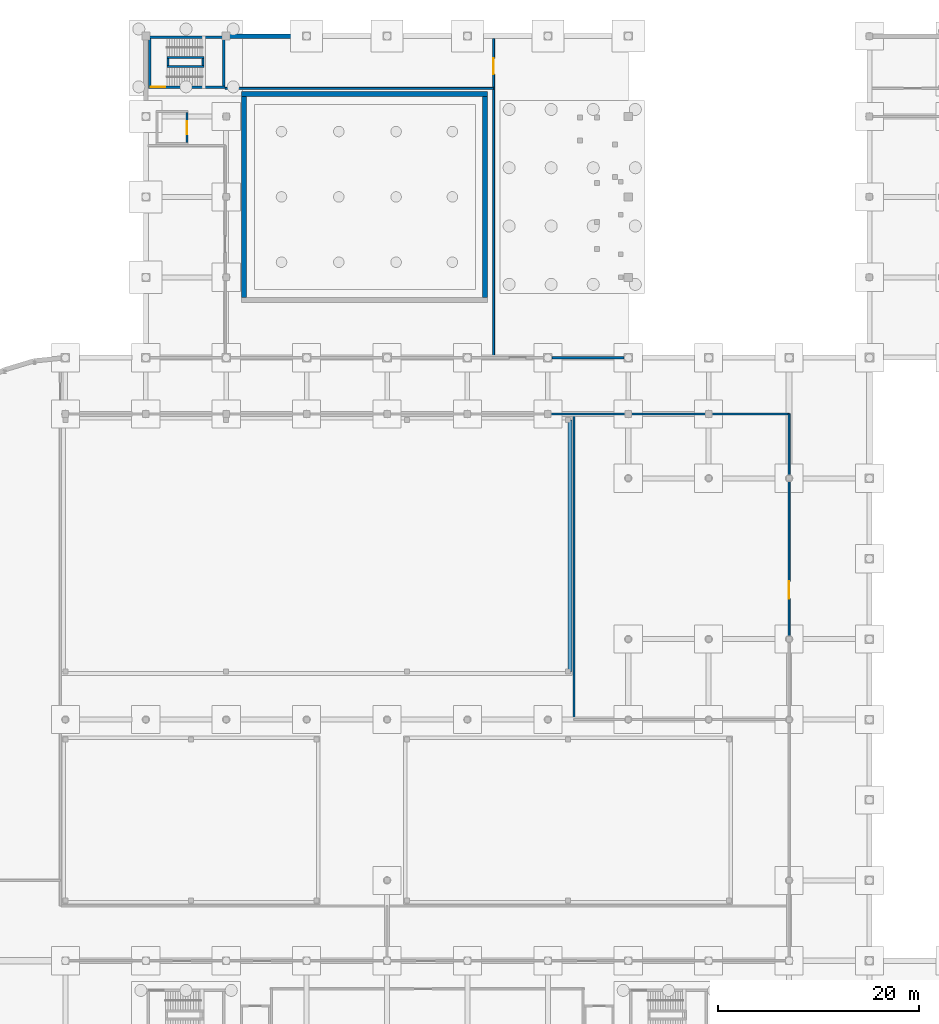
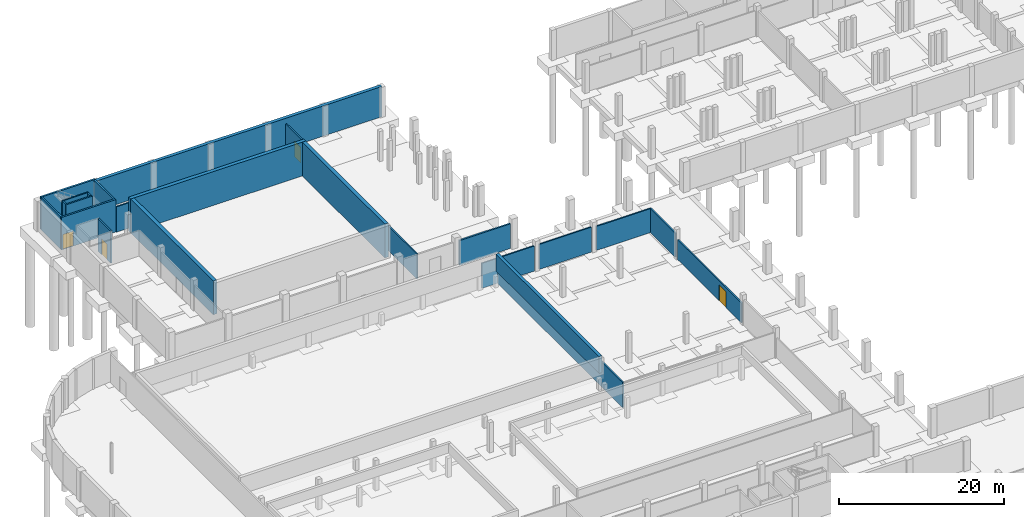
# One storey, part 23 of 29: 23 walls, 4 doors, 4 openings.
"""IFC4 building model written with IfcOpenShell, lengths in metres."""

from ifc_helpers import new_model, si_unit, direction, frame, frame_2d, origin, place, context, subcontext, project, spatial, rectangle, extrude, material, layer, layer_set, type_object, element, fill, save


model = new_model("IFC4")

# Units and contexts
model_context = context("Model", 3, precision=1e-05, world=origin(), true_north=direction((0.0, 1.0)))
body_context = subcontext(model_context, "Body", "Model", "MODEL_VIEW")
ifc_project = project(units=[si_unit("LENGTHUNIT", "METRE"), si_unit("AREAUNIT", "SQUARE_METRE"), si_unit("VOLUMEUNIT", "CUBIC_METRE"), si_unit("PLANEANGLEUNIT", "RADIAN"), si_unit("MASSUNIT", "GRAM", prefix="KILO")], contexts=[model_context])

# Site, building, storey
site_placement = place(None, origin())
site = spatial("IfcSite", under=ifc_project, at=site_placement, CompositionType="ELEMENT")
building_placement = place(site_placement, origin())
building = spatial("IfcBuilding", under=site, at=building_placement, Name="Drelvana Railside Aquatics Centre", CompositionType="ELEMENT")
storey_placement = place(building_placement, frame((0.0, 0.0, -4.800048828125)))
storey = spatial("IfcBuildingStorey", under=building, at=storey_placement, Name="B1", CompositionType="ELEMENT", Elevation=-4.800048828125)

# Wall, opening, door
ifc_material_1 = material(Name="Concrete blockwork compartment wall", Category="masonry")
ifc_layer_1 = layer(ifc_material_1, 0.18505859375, Name="Concrete blockwork compartment wall")
ifc_layer_set_1 = layer_set([ifc_layer_1], Name="Concrete blockwork compartment wall")
wall_type_1 = type_object("IfcWallType", Name="WL-COMP-185", PredefinedType="STANDARD", material=ifc_layer_set_1)
wall_1_placement = place(storey_placement, frame((88.0, 56.277099609375, 0.0), z_axis=(0.0, 0.0, 1.0), x_axis=(0.0, 1.0, 0.0)))
wall_1 = element("IfcWall", 1, at=wall_1_placement, inside=storey, type_object=wall_type_1, Name="B1 East plant link W wall", PredefinedType="STANDARD", context=body_context, shape_type="SweptSolid", body=[
    extrude(rectangle(XDim=15.44580078125, YDim=0.18505859375, at=frame_2d((7.722900390625, 0.0))), origin(), (0.0, 0.0, 1.0), 2.949951171875),
])
opening_1_placement = place(wall_1_placement, frame((3.722900390625, 0.0, 0.0)))
opening_1 = element("IfcOpeningElement", 2, at=opening_1_placement, cuts=wall_1, Name="Opening D-15-111", PredefinedType="OPENING", context=body_context, shape_type="SweptSolid", body=[
    extrude(rectangle(XDim=1.75, YDim=2.35009765625, at=frame_2d((0.875, 1.175048828125))), frame((0.0, 0.1025390625, 0.0), z_axis=(0.0, -1.0, 0.0), x_axis=(1.0, 0.0, 0.0)), (0.0, 0.0, 1.0), 0.205078125),
])
ifc_material_2 = material(Name="Heavy plant hall double door", Category="wood")
door_type_1 = type_object("IfcDoorType", Name="DR-INT-PLANT-1750x2350", OperationType="DOUBLE_DOOR_SINGLE_SWING", PredefinedType="DOOR", material=ifc_material_2)
door_1_placement = place(opening_1_placement, origin())
door_1 = element("IfcDoor", 3, at=door_1_placement, inside=storey, type_object=door_type_1, Name="Calorifier hall door D-15-111", OperationType="DOUBLE_DOOR_SINGLE_SWING", OverallHeight=2.35009765625, OverallWidth=1.75, PredefinedType="DOOR", context=body_context, shape_type="SweptSolid", body=[
    extrude(rectangle(XDim=1.75, YDim=2.35009765625, at=frame_2d((0.875, 1.175048828125))), frame((0.0, 0.02490234375, 0.0), z_axis=(0.0, -1.0, 0.0), x_axis=(1.0, 0.0, 0.0)), (0.0, 0.0, 1.0), 0.050048828125),
])
fill(opening_1, door_1)

# Walls
wall_2_placement = place(storey_placement, frame((88.0, 72.277099609375, 0.0), z_axis=(0.0, 0.0, 1.0), x_axis=(0.0, 1.0, 0.0)))
element("IfcWall", 4, at=wall_2_placement, inside=storey, type_object=wall_type_1, Name="B1 East plant link W wall", PredefinedType="STANDARD", context=body_context, shape_type="SweptSolid", body=[
    extrude(rectangle(XDim=6.122802734375, YDim=0.18505859375, at=frame_2d((3.0615234375, 0.0))), origin(), (0.0, 0.0, 1.0), 3.550048828125),
])
wall_3_placement = place(storey_placement, frame((66.60009765625, 48.0, 0.0), z_axis=(0.0, 0.0, 1.0), x_axis=(0.0, 1.0, 0.0)))
element("IfcWall", 5, at=wall_3_placement, inside=storey, type_object=wall_type_1, Name="B1 Calorifier hall W wall", PredefinedType="STANDARD", context=body_context, shape_type="SweptSolid", body=[
    extrude(rectangle(XDim=30.39990234375, YDim=0.18505859375, at=frame_2d((15.199951171875, 0.0))), origin(), (0.0, 0.0, 1.0), 3.699951171875),
])
for number, where, z_axis, x_axis, name in (
    (6, (64.326904296875, 78.39990234375, 0.0), (0.0, 0.0, 1.0), (1.0, 0.0, 0.0), "B1 North plant spine S wall"),
    (7, (72.326904296875, 78.39990234375, 0.0), (0.0, 0.0, 1.0), (1.0, 0.0, 0.0), "B1 North plant spine S wall"),
):
    element("IfcWall", number, at=place(storey_placement, frame(where, z_axis=z_axis, x_axis=x_axis)), inside=storey, type_object=wall_type_1, Name=name, PredefinedType="STANDARD", context=body_context, shape_type="SweptSolid", body=[
        extrude(rectangle(XDim=7.34619140625, YDim=0.18505859375, at=frame_2d((3.673095703125, 0.0))), origin(), (0.0, 0.0, 1.0), 3.699951171875),
    ])
wall_4_placement = place(storey_placement, frame((80.326904296875, 78.39990234375, 0.0), z_axis=(0.0, 0.0, 1.0), x_axis=(1.0, 0.0, 0.0)))
element("IfcWall", 8, at=wall_4_placement, inside=storey, type_object=wall_type_1, Name="B1 North plant spine S wall", PredefinedType="STANDARD", context=body_context, shape_type="SweptSolid", body=[
    extrude(rectangle(XDim=7.673095703125, YDim=0.18505859375, at=frame_2d((3.83642578125, 0.0))), origin(), (0.0, 0.0, 1.0), 3.550048828125),
])

# Wall, opening, door
wall_5_placement = place(storey_placement, frame((58.60009765625, 84.0, 0.0), z_axis=(0.0, 0.0, 1.0), x_axis=(0.0, 1.0, 0.0)))
wall_5 = element("IfcWall", 9, at=wall_5_placement, inside=storey, type_object=wall_type_1, Name="B1 Sparger blower W wall", PredefinedType="STANDARD", context=body_context, shape_type="SweptSolid", body=[
    extrude(rectangle(XDim=31.780029296875, YDim=0.18505859375, at=frame_2d((15.89013671875, 0.0))), origin(), (0.0, 0.0, 1.0), 3.650146484375),
])
opening_2_placement = place(wall_5_placement, frame((28.199951171875, 0.0, 0.0)))
opening_2 = element("IfcOpeningElement", 10, at=opening_2_placement, cuts=wall_5, Name="Opening D-04-113", PredefinedType="OPENING", context=body_context, shape_type="SweptSolid", body=[
    extrude(rectangle(XDim=1.60009765625, YDim=2.300048828125, at=frame_2d((0.800048828125, 1.14990234375))), frame((0.0, 0.1025390625, 0.0), z_axis=(0.0, -1.0, 0.0), x_axis=(1.0, 0.0, 0.0)), (0.0, 0.0, 1.0), 0.205078125),
])
ifc_material_3 = material(Name="Acoustic fire-rated steel plant door", Category="steel")
door_type_2 = type_object("IfcDoorType", Name="DR-INT-PLANT-1600x2300", OperationType="DOUBLE_DOOR_SINGLE_SWING", PredefinedType="DOOR", material=ifc_material_3)
door_2_placement = place(opening_2_placement, origin())
door_2 = element("IfcDoor", 11, at=door_2_placement, inside=storey, type_object=door_type_2, Name="Sparger blower room door D-04-113", OperationType="DOUBLE_DOOR_SINGLE_SWING", OverallHeight=2.300048828125, OverallWidth=1.60009765625, PredefinedType="DOOR", context=body_context, shape_type="SweptSolid", body=[
    extrude(rectangle(XDim=1.60009765625, YDim=2.300048828125, at=frame_2d((0.800048828125, 1.14990234375))), frame((0.0, 0.02490234375, 0.0), z_axis=(0.0, -1.0, 0.0), x_axis=(1.0, 0.0, 0.0)), (0.0, 0.0, 1.0), 0.050048828125),
])
fill(opening_2, door_2)

# Walls
wall_6_placement = place(storey_placement, frame((31.89990234375, 110.800048828125, 0.0), z_axis=(0.0, 0.0, 1.0), x_axis=(1.0, 0.0, 0.0)))
element("IfcWall", 12, at=wall_6_placement, inside=storey, type_object=wall_type_1, Name="B1 North diving passage S wall", PredefinedType="STANDARD", context=body_context, shape_type="SweptSolid", body=[
    extrude(rectangle(XDim=26.7001953125, YDim=0.18505859375, at=frame_2d((13.35009765625, 0.0))), origin(), (0.0, 0.0, 1.0), 3.75),
])
ifc_material_4 = material(Name="Autoclaved aerated concrete masonry", Category="masonry")
ifc_layer_2 = layer(ifc_material_4, 0.22509765625, Name="Autoclaved aerated concrete masonry")
ifc_layer_set_2 = layer_set([ifc_layer_2], Name="Autoclaved aerated concrete masonry")
wall_type_2 = type_object("IfcWallType", Name="WL-COMP-225", PredefinedType="STANDARD", material=ifc_layer_set_2)
wall_7_placement = place(storey_placement, frame((64.427001953125, 84.0, 0.0), z_axis=(0.0, 0.0, 1.0), x_axis=(1.0, 0.0, 0.0)))
element("IfcWall", 13, at=wall_7_placement, inside=storey, type_object=wall_type_2, Name="B1 Pool-Diving compartment wall", PredefinedType="STANDARD", context=body_context, shape_type="SweptSolid", body=[
    extrude(rectangle(XDim=7.14599609375, YDim=0.22509765625, at=frame_2d((3.572998046875, 0.0))), origin(), (0.0, 0.0, 1.0), 3.650146484375),
])

# Wall, opening, door
ifc_material_5 = material(Name="Concrete C40/50", Category="concrete")
ifc_layer_3 = layer(ifc_material_5, 0.25, Name="Concrete C40/50")
ifc_layer_set_3 = layer_set([ifc_layer_3], Name="Concrete C40/50")
wall_type_3 = type_object("IfcWallType", Name="WL-CORE-250", PredefinedType="SHEAR", material=ifc_layer_set_3)
wall_8_placement = place(storey_placement, frame((24.25, 110.925048828125, 0.0), z_axis=(0.0, 0.0, 1.0), x_axis=(1.0, 0.0, 0.0)))
wall_8 = element("IfcWall", 14, at=wall_8_placement, inside=storey, type_object=wall_type_3, Name="Core 3 North Diving Hall S core wall (B1)", PredefinedType="SHEAR", context=body_context, shape_type="SweptSolid", body=[
    extrude(rectangle(XDim=7.64990234375, YDim=0.25, at=frame_2d((3.824951171875, 0.0))), origin(), (0.0, 0.0, 1.0), 4.800048828125),
])
opening_3_placement = place(wall_8_placement, frame((0.25, 0.0, 0.0)))
opening_3 = element("IfcOpeningElement", 15, at=opening_3_placement, cuts=wall_8, Name="Opening D-01-017", PredefinedType="OPENING", context=body_context, shape_type="SweptSolid", body=[
    extrude(rectangle(XDim=1.449951171875, YDim=2.199951171875, at=frame_2d((0.72509765625, 1.10009765625))), frame((0.0, 0.135009765625, 0.0), z_axis=(0.0, -1.0, 0.0), x_axis=(1.0, 0.0, 0.0)), (0.0, 0.0, 1.0), 0.27001953125),
])
ifc_material_6 = material(Name="Fire-rated steel and vision-panel door", Category="steel")
door_type_3 = type_object("IfcDoorType", Name="DR-INT-STAIR-1450x2200", OperationType="DOUBLE_DOOR_SINGLE_SWING", PredefinedType="DOOR", material=ifc_material_6)
door_3_placement = place(opening_3_placement, origin())
door_3 = element("IfcDoor", 16, at=door_3_placement, inside=storey, type_object=door_type_3, Name="Stair ST-03 lobby door D-01-017", OperationType="DOUBLE_DOOR_SINGLE_SWING", OverallHeight=2.199951171875, OverallWidth=1.449951171875, PredefinedType="DOOR", context=body_context, shape_type="SweptSolid", body=[
    extrude(rectangle(XDim=1.449951171875, YDim=2.199951171875, at=frame_2d((0.72509765625, 1.10009765625))), frame((0.0, 0.02490234375, 0.0), z_axis=(0.0, -1.0, 0.0), x_axis=(1.0, 0.0, 0.0)), (0.0, 0.0, 1.0), 0.050048828125),
])
fill(opening_3, door_3)

# Walls
wall_9_placement = place(storey_placement, frame((24.25, 115.875, 0.0), z_axis=(0.0, 0.0, 1.0), x_axis=(1.0, 0.0, 0.0)))
element("IfcWall", 17, at=wall_9_placement, inside=storey, type_object=wall_type_3, Name="Core 3 North Diving Hall N core wall (B1)", PredefinedType="SHEAR", context=body_context, shape_type="SweptSolid", body=[
    extrude(rectangle(XDim=7.64990234375, YDim=0.25, at=frame_2d((3.824951171875, 0.0))), origin(), (0.0, 0.0, 1.0), 4.800048828125),
])
for number, where, z_axis, x_axis, name in (
    (18, (24.375, 111.050048828125, 0.0), (0.0, 0.0, 1.0), (0.0, 1.0, 0.0), "Core 3 North Diving Hall W core wall (B1)"),
    (19, (31.77490234375, 111.050048828125, 0.0), (0.0, 0.0, 1.0), (0.0, 1.0, 0.0), "Core 3 North Diving Hall E core wall (B1)"),
):
    element("IfcWall", number, at=place(storey_placement, frame(where, z_axis=z_axis, x_axis=x_axis)), inside=storey, type_object=wall_type_3, Name=name, PredefinedType="SHEAR", context=body_context, shape_type="SweptSolid", body=[
        extrude(rectangle(XDim=4.699951171875, YDim=0.25, at=frame_2d((2.35009765625, 0.0))), origin(), (0.0, 0.0, 1.0), 4.800048828125),
    ])
ifc_material_7 = material(Name="Waterproof concrete C40/50", Category="concrete")
ifc_layer_4 = layer(ifc_material_7, 0.449951171875, Name="Waterproof concrete C40/50")
ifc_layer_set_4 = layer_set([ifc_layer_4], Name="Waterproof concrete C40/50")
wall_type_4 = type_object("IfcWallType", Name="WL-RET-450", PredefinedType="SOLIDWALL", material=ifc_layer_set_4)
wall_10_placement = place(storey_placement, frame((31.902099609375, 116.0, 0.0), z_axis=(0.0, 0.0, 1.0), x_axis=(1.0, 0.0, 0.0)))
element("IfcWall", 20, at=wall_10_placement, inside=storey, type_object=wall_type_4, Name="Basement retaining wall V2-N", PredefinedType="SOLIDWALL", context=body_context, shape_type="SweptSolid", body=[
    extrude(rectangle(XDim=40.097900390625, YDim=0.449951171875, at=frame_2d((20.048828125, 0.0))), origin(), (0.0, 0.0, 1.0), 4.469970703125),
])
ifc_layer_5 = layer(ifc_material_5, 0.199951171875, Name="Concrete C40/50")
ifc_layer_set_5 = layer_set([ifc_layer_5], Name="Concrete C40/50")
wall_type_5 = type_object("IfcWallType", Name="WL-SHFT-200", PredefinedType="SHEAR", material=ifc_layer_set_5)
for number, where, z_axis, x_axis, name in (
    (21, (26.1201171875, 112.949951171875, 0.0), (0.0, 0.0, 1.0), (1.0, 0.0, 0.0), "Stair ST-03 central spine wall A (B1)"),
    (22, (26.1201171875, 113.85009765625, 0.0), (0.0, 0.0, 1.0), (1.0, 0.0, 0.0), "Stair ST-03 central spine wall B (B1)"),
):
    element("IfcWall", number, at=place(storey_placement, frame(where, z_axis=z_axis, x_axis=x_axis)), inside=storey, type_object=wall_type_5, Name=name, PredefinedType="SHEAR", context=body_context, shape_type="SweptSolid", body=[
        extrude(rectangle(XDim=3.669921875, YDim=0.199951171875, at=frame_2d((1.8349609375, 0.0))), origin(), (0.0, 0.0, 1.0), 4.800048828125),
    ])
for number, where, z_axis, x_axis, name in (
    (23, (26.219970703125, 113.050048828125, 0.0), (0.0, 0.0, 1.0), (0.0, 1.0, 0.0), "Stair ST-03 central spine wall W (B1)"),
    (24, (29.68994140625, 113.050048828125, 0.0), (0.0, 0.0, 1.0), (0.0, 1.0, 0.0), "Stair ST-03 central spine wall E (B1)"),
):
    element("IfcWall", number, at=place(storey_placement, frame(where, z_axis=z_axis, x_axis=x_axis)), inside=storey, type_object=wall_type_5, Name=name, PredefinedType="SHEAR", context=body_context, shape_type="SweptSolid", body=[
        extrude(rectangle(XDim=0.699951171875, YDim=0.199951171875, at=frame_2d((0.35009765625, 0.0))), origin(), (0.0, 0.0, 1.0), 4.800048828125),
    ])

# Wall, opening, door
wall_11_placement = place(storey_placement, frame((28.10009765625, 105.39990234375, 0.0), z_axis=(0.0, 0.0, 1.0), x_axis=(0.0, 1.0, 0.0)))
wall_11 = element("IfcWall", 25, at=wall_11_placement, inside=storey, type_object=wall_type_5, Name="Lift LG-01 E shaft wall (B1)", PredefinedType="SHEAR", context=body_context, shape_type="SweptSolid", body=[
    extrude(rectangle(XDim=3.0, YDim=0.199951171875, at=frame_2d((1.5, 0.0))), origin(), (0.0, 0.0, 1.0), 4.800048828125),
])
opening_4_placement = place(wall_11_placement, frame((0.85009765625, 0.0, 0.0)))
opening_4 = element("IfcOpeningElement", 26, at=opening_4_placement, cuts=wall_11, Name="Opening LD-02-021", PredefinedType="OPENING", context=body_context, shape_type="SweptSolid", body=[
    extrude(rectangle(XDim=1.300048828125, YDim=2.300048828125, at=frame_2d((0.64990234375, 1.14990234375))), frame((0.0, 0.10986328125, 0.0), z_axis=(0.0, -1.0, 0.0), x_axis=(1.0, 0.0, 0.0)), (0.0, 0.0, 1.0), 0.219970703125),
])
ifc_material_8 = material(Name="Firefighting & goods lift sliding door", Category="wood")
door_type_4 = type_object("IfcDoorType", Name="DR-LIFT-LD-1300x2300", OperationType="SLIDING_TO_RIGHT", PredefinedType="DOOR", material=ifc_material_8)
door_4_placement = place(opening_4_placement, origin())
door_4 = element("IfcDoor", 27, at=door_4_placement, inside=storey, type_object=door_type_4, Name="Lift LG-01 landing door LD-02-021", OperationType="SLIDING_TO_RIGHT", OverallHeight=2.300048828125, OverallWidth=1.300048828125, PredefinedType="DOOR", context=body_context, shape_type="SweptSolid", body=[
    extrude(rectangle(XDim=1.300048828125, YDim=2.300048828125, at=frame_2d((0.64990234375, 1.14990234375))), frame((0.0, 0.02490234375, 0.0), z_axis=(0.0, -1.0, 0.0), x_axis=(1.0, 0.0, 0.0)), (0.0, 0.0, 1.0), 0.050048828125),
])
fill(opening_4, door_4)

# Walls
ifc_layer_6 = layer(ifc_material_7, 0.419921875, Name="Waterproof concrete C40/50")
ifc_layer_set_6 = layer_set([ifc_layer_6], Name="Waterproof concrete C40/50")
wall_type_6 = type_object("IfcWallType", Name="WL-TK-420", PredefinedType="SOLIDWALL", material=ifc_layer_set_6)
wall_12_placement = place(storey_placement, frame((66.2099609375, 52.800048828125, 2.300048828125), z_axis=(0.0, 0.0, 1.0), x_axis=(0.0, 1.0, 0.0)))
element("IfcWall", 28, at=wall_12_placement, inside=storey, type_object=wall_type_6, Name="Competition Pool E tank wall", PredefinedType="SOLIDWALL", context=body_context, shape_type="SweptSolid", body=[
    extrude(rectangle(XDim=25.0, YDim=0.419921875, at=frame_2d((12.5, 0.0))), origin(), (0.0, 0.0, 1.0), 2.5),
])
ifc_layer_7 = layer(ifc_material_7, 0.5, Name="Waterproof concrete C40/50")
ifc_layer_set_7 = layer_set([ifc_layer_7], Name="Waterproof concrete C40/50")
wall_type_7 = type_object("IfcWallType", Name="WL-TK-500", PredefinedType="SOLIDWALL", material=ifc_layer_set_7)
wall_13_placement = place(storey_placement, frame((33.5, 110.25, -0.199951171875), z_axis=(0.0, 0.0, 1.0), x_axis=(1.0, 0.0, 0.0)))
element("IfcWall", 29, at=wall_13_placement, inside=storey, type_object=wall_type_7, Name="Diving Pool N tank wall", PredefinedType="SOLIDWALL", context=body_context, shape_type="SweptSolid", body=[
    extrude(rectangle(XDim=24.5, YDim=0.5, at=frame_2d((12.25, 0.0))), origin(), (0.0, 0.0, 1.0), 5.0),
])
for number, where, z_axis, x_axis, name in (
    (30, (33.75, 90.0, -0.199951171875), (0.0, 0.0, 1.0), (0.0, 1.0, 0.0), "Diving Pool W tank wall"),
    (31, (57.75, 90.0, -0.199951171875), (0.0, 0.0, 1.0), (0.0, 1.0, 0.0), "Diving Pool E tank wall"),
):
    element("IfcWall", number, at=place(storey_placement, frame(where, z_axis=z_axis, x_axis=x_axis)), inside=storey, type_object=wall_type_7, Name=name, PredefinedType="SOLIDWALL", context=body_context, shape_type="SweptSolid", body=[
        extrude(rectangle(XDim=20.0, YDim=0.5, at=frame_2d((10.0, 0.0))), origin(), (0.0, 0.0, 1.0), 5.0),
    ])

save(model, "model.ifc")
